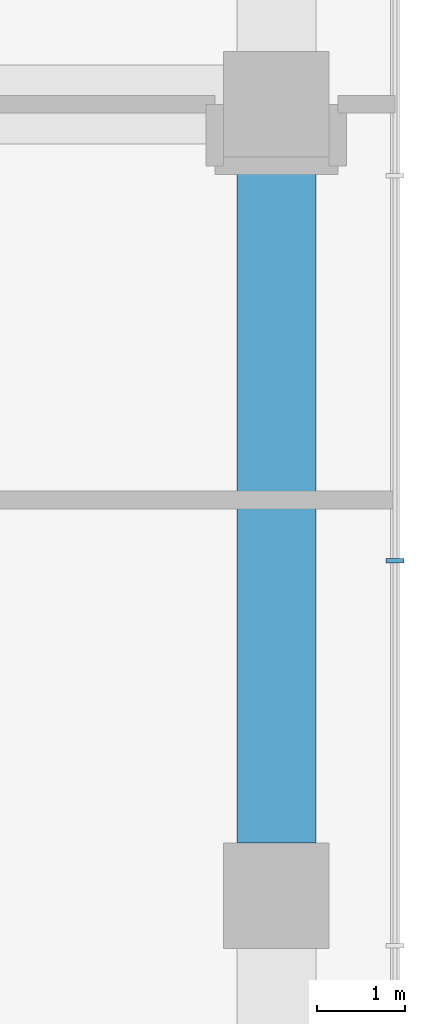
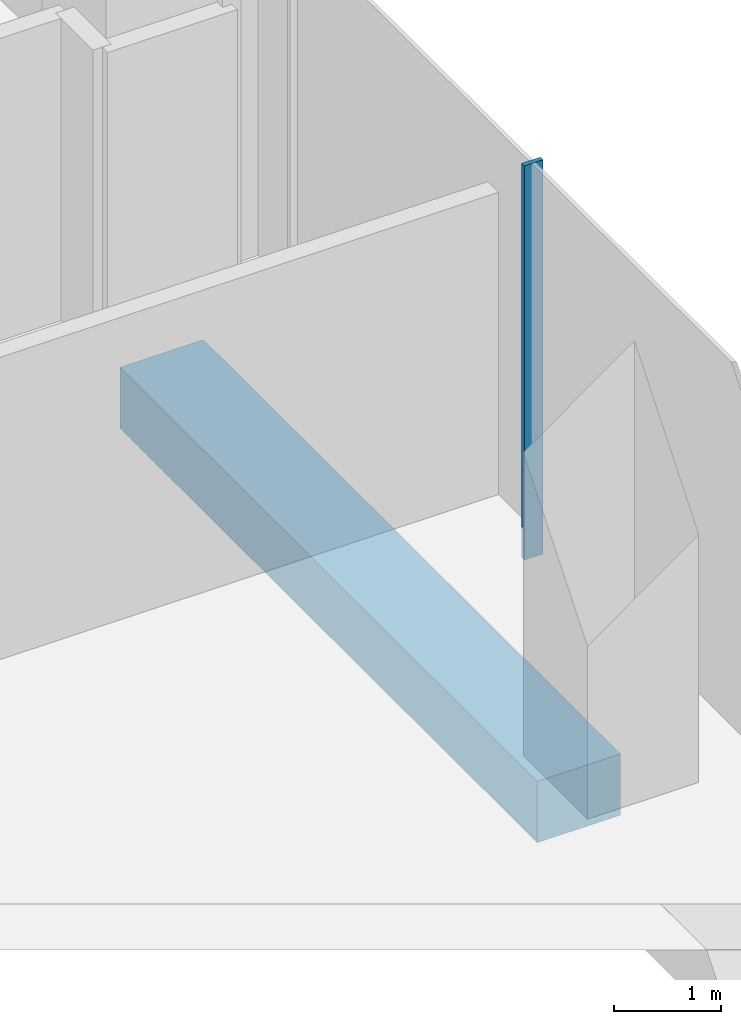
# One storey, part 18 of 43: 1 beam, 1 member, 1 element without a shape of its own.
"""IFC4 building model written with IfcOpenShell, lengths in metres."""

from ifc_helpers import new_model, si_unit, direction, frame, origin, origin_2d, place, context, subcontext, project, spatial, rectangle, extrude, material, layer, layer_set, material_profile, profile_set, type_object, element, aggregate, save


model = new_model("IFC4")

# Units and contexts
model_context = context("Model", 3, precision=1e-05, world=origin(), true_north=direction((0.0, 1.0)))
body_context = subcontext(model_context, "Body", "Model", "MODEL_VIEW")
ifc_project = project(units=[si_unit("LENGTHUNIT", "METRE"), si_unit("AREAUNIT", "SQUARE_METRE"), si_unit("VOLUMEUNIT", "CUBIC_METRE"), si_unit("PLANEANGLEUNIT", "RADIAN"), si_unit("MASSUNIT", "GRAM", prefix="KILO")], contexts=[model_context])

# Site, building, storey
site_placement = place(None, origin())
site = spatial("IfcSite", under=ifc_project, at=site_placement, CompositionType="ELEMENT")
building_placement = place(site_placement, origin())
building = spatial("IfcBuilding", under=site, at=building_placement, Name="Plateau Cross Towers", CompositionType="ELEMENT")
storey_placement = place(building_placement, frame((0.0, 0.0, 12.800048828125)))
storey = spatial("IfcBuildingStorey", under=building, at=storey_placement, Name="L02", CompositionType="ELEMENT", Elevation=12.800048828125)

# Curtain wall, member
ifc_material_1 = material(Name="Dark low-iron laminated glass", Category="glass")
ifc_layer = layer(ifc_material_1, 0.300048828125)
ifc_layer_set = layer_set([ifc_layer], Name="Dark low-iron laminated glass")
curtain_wall_type = type_object("IfcCurtainWallType", Name="Curtain wall structural silicone CW-C", PredefinedType="NOTDEFINED", material=ifc_layer_set)
curtain_wall_placement = place(storey_placement, origin())
curtain_wall = element("IfcCurtainWall", 1, at=curtain_wall_placement, inside=storey, type_object=curtain_wall_type, Name="ENV/P/L02/P1078_-88", PredefinedType="NOTDEFINED")
ifc_material_2 = material(Name="Black anodised aluminium", Category="aluminium")
ifc_material_profile_1 = material_profile(ifc_material_2, rectangle(XDim=0.050048828125, YDim=0.199951171875, at=origin_2d()), Name="MULLION 50x200")
ifc_profile_set_1 = profile_set([ifc_material_profile_1], Name="Black anodised aluminium")
member_type = type_object("IfcMemberType", Name="Mullion 50x200 structural silicone", PredefinedType="MULLION", material=ifc_profile_set_1)
member_placement = place(storey_placement, frame((107.85009765625, 21.81005859375, -0.35009765625), z_axis=(0.0, 0.0, 1.0), x_axis=(0.0, 1.0, 0.0)))
member = element("IfcMember", 2, at=member_placement, type_object=member_type, Name="CW-C mullion 8", PredefinedType="MULLION", context=body_context, shape_type="SweptSolid", body=[
    extrude(rectangle(XDim=0.050048828125, YDim=0.199951171875, at=origin_2d()), origin(), (0.0, 0.0, 1.0), 4.5),
])
aggregate(curtain_wall, [member])

# Beam
ifc_material_3 = material(Name="Concrete C50/60", Category="concrete")
ifc_material_profile_2 = material_profile(ifc_material_3, rectangle(XDim=0.89990234375, YDim=0.699951171875, at=origin_2d()), Name="RC 900x700")
ifc_profile_set_2 = profile_set([ifc_material_profile_2], Name="Concrete C50/60")
beam_type = type_object("IfcBeamType", Name="Podium band beam RC 900x700", PredefinedType="BEAM", material=ifc_profile_set_2)
beam_placement = place(storey_placement, frame((106.5, 18.60009765625, -0.699951171875), z_axis=(0.0, 1.0, 0.0), x_axis=(-1.0, 0.0, 0.0)))
element("IfcBeam", 3, at=beam_placement, inside=storey, type_object=beam_type, Name="PB177@L02", PredefinedType="BEAM", context=body_context, shape_type="SweptSolid", body=[
    extrude(rectangle(XDim=0.89990234375, YDim=0.699951171875, at=origin_2d()), origin(), (0.0, 0.0, 1.0), 7.7998046875),
])

save(model, "model.ifc")
